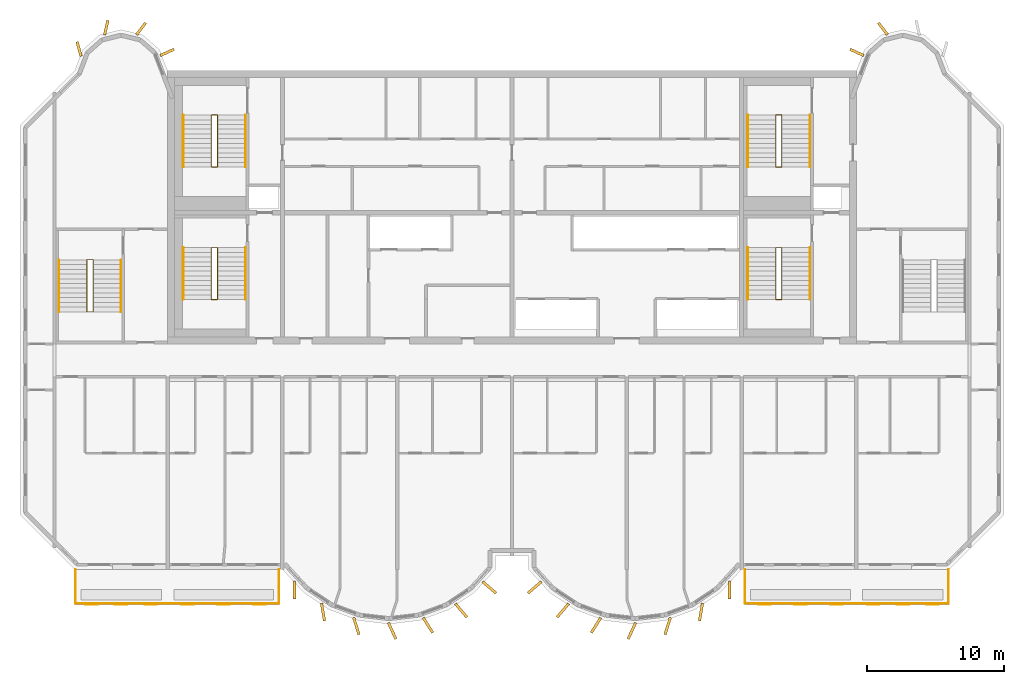
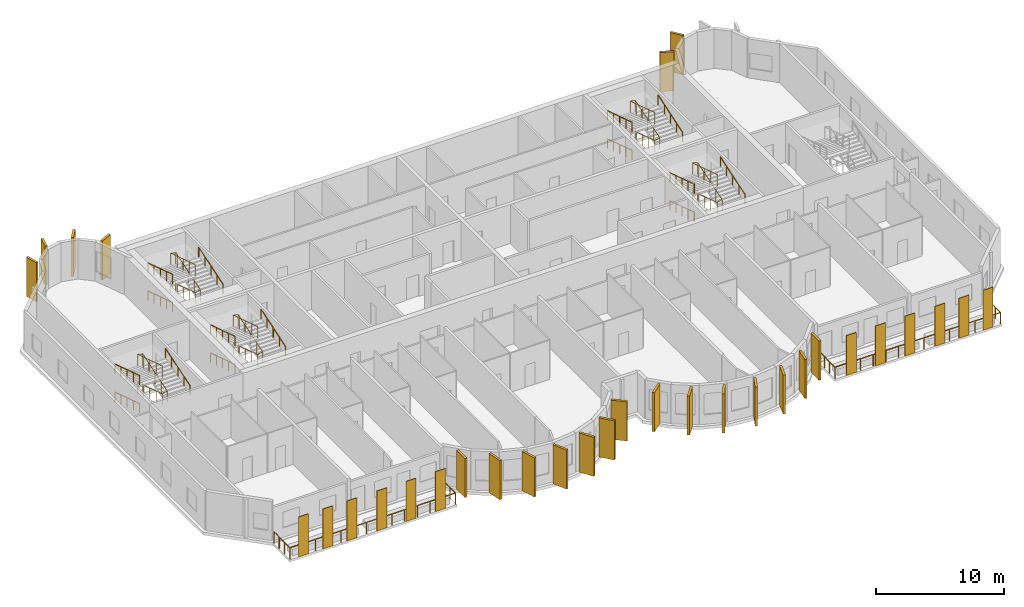
# One storey, part 10 of 12: 32 coverings, 22 railings.
"""IFC4 building model written with IfcOpenShell, lengths in metres."""

from ifc_helpers import new_model, si_unit, direction, frame, origin, origin_2d, place, context, subcontext, project, spatial, rectangle, circle, extrude, source, transform, mapped, material, layer, layer_set, material_profile, profile_set, type_object, element, save


model = new_model("IFC4")

# Units and contexts
model_context = context("Model", 3, precision=1e-05, world=origin(), true_north=direction((0.0, 1.0)))
body_context = subcontext(model_context, "Body", "Model", "MODEL_VIEW")
ifc_project = project(units=[si_unit("LENGTHUNIT", "METRE"), si_unit("AREAUNIT", "SQUARE_METRE"), si_unit("VOLUMEUNIT", "CUBIC_METRE"), si_unit("PLANEANGLEUNIT", "RADIAN"), si_unit("MASSUNIT", "GRAM", prefix="KILO")], contexts=[model_context])

# Site, building, storey
site_placement = place(None, origin())
site = spatial("IfcSite", under=ifc_project, at=site_placement, CompositionType="ELEMENT")
building_placement = place(site_placement, origin())
building = spatial("IfcBuilding", under=site, at=building_placement, Name="Vanashikhar Sky Hotel", CompositionType="ELEMENT")
storey_placement = place(building_placement, frame((0.0, 0.0, 293.699951171875)))
storey = spatial("IfcBuildingStorey", under=building, at=storey_placement, Name="L70", CompositionType="ELEMENT", Elevation=293.699951171875)

# Railings
ifc_material_1 = material(Name="Stainless steel 316", Category="steel")
railing_type_1 = type_object("IfcRailingType", Name="Balcony guard 1100", PredefinedType="GUARDRAIL", material=ifc_material_1)
shared_shape_1 = source(origin(), body_context, "Body", "SweptSolid", [
    extrude(circle(Radius=0.02392578125, at=origin_2d()), frame((0.0, 0.0, 1.076171875), z_axis=(0.0, -1.0, 0.0), x_axis=(1.0, 0.0, 0.0)), (0.0, 0.0, 1.0), 2.5),
    extrude(circle(Radius=0.02392578125, at=origin_2d()), frame((0.0, -2.5, 1.076171875), z_axis=(1.0, 0.0, 0.0), x_axis=(0.0, 1.0, 0.0)), (0.0, 0.0, 1.0), 14.880126953125),
    extrude(circle(Radius=0.02392578125, at=origin_2d()), frame((14.880126953125, -2.5, 1.076171875), z_axis=(0.0, 1.0, 0.0), x_axis=(-1.0, 0.0, 0.0)), (0.0, 0.0, 1.0), 2.5),
    extrude(circle(Radius=0.02099609375, at=origin_2d()), origin(), (0.0, 0.0, 1.0), 1.052001953125),
    extrude(circle(Radius=0.02099609375, at=origin_2d()), frame((0.0, -0.833251953125, 0.0)), (0.0, 0.0, 1.0), 1.052001953125),
    extrude(circle(Radius=0.02099609375, at=origin_2d()), frame((0.0, -1.666748046875, 0.0)), (0.0, 0.0, 1.0), 1.052001953125),
    extrude(circle(Radius=0.02099609375, at=origin_2d()), frame((0.0, -2.5, 0.0)), (0.0, 0.0, 1.0), 1.052001953125),
    extrude(circle(Radius=0.02099609375, at=origin_2d()), frame((1.14453125, -2.5, 0.0)), (0.0, 0.0, 1.0), 1.052001953125),
    extrude(circle(Radius=0.02099609375, at=origin_2d()), frame((2.289306640625, -2.5, 0.0)), (0.0, 0.0, 1.0), 1.052001953125),
    extrude(circle(Radius=0.02099609375, at=origin_2d()), frame((3.433837890625, -2.5, 0.0)), (0.0, 0.0, 1.0), 1.052001953125),
    extrude(circle(Radius=0.02099609375, at=origin_2d()), frame((4.57861328125, -2.5, 0.0)), (0.0, 0.0, 1.0), 1.052001953125),
    extrude(circle(Radius=0.02099609375, at=origin_2d()), frame((5.72314453125, -2.5, 0.0)), (0.0, 0.0, 1.0), 1.052001953125),
    extrude(circle(Radius=0.02099609375, at=origin_2d()), frame((6.86767578125, -2.5, 0.0)), (0.0, 0.0, 1.0), 1.052001953125),
    extrude(circle(Radius=0.02099609375, at=origin_2d()), frame((8.012451171875, -2.5, 0.0)), (0.0, 0.0, 1.0), 1.052001953125),
    extrude(circle(Radius=0.02099609375, at=origin_2d()), frame((9.156982421875, -2.5, 0.0)), (0.0, 0.0, 1.0), 1.052001953125),
    extrude(circle(Radius=0.02099609375, at=origin_2d()), frame((10.301513671875, -2.5, 0.0)), (0.0, 0.0, 1.0), 1.052001953125),
    extrude(circle(Radius=0.02099609375, at=origin_2d()), frame((11.4462890625, -2.5, 0.0)), (0.0, 0.0, 1.0), 1.052001953125),
    extrude(circle(Radius=0.02099609375, at=origin_2d()), frame((12.5908203125, -2.5, 0.0)), (0.0, 0.0, 1.0), 1.052001953125),
    extrude(circle(Radius=0.02099609375, at=origin_2d()), frame((13.735595703125, -2.5, 0.0)), (0.0, 0.0, 1.0), 1.052001953125),
    extrude(circle(Radius=0.02099609375, at=origin_2d()), frame((14.880126953125, -2.5, 0.0)), (0.0, 0.0, 1.0), 1.052001953125),
    extrude(circle(Radius=0.02099609375, at=origin_2d()), frame((14.880126953125, -1.666748046875, 0.0)), (0.0, 0.0, 1.0), 1.052001953125),
    extrude(circle(Radius=0.02099609375, at=origin_2d()), frame((14.880126953125, -0.833251953125, 0.0)), (0.0, 0.0, 1.0), 1.052001953125),
    extrude(circle(Radius=0.02099609375, at=origin_2d()), frame((14.880126953125, 0.0, 0.0)), (0.0, 0.0, 1.0), 1.052001953125),
])
for number, where, name in (
    (1, (18.4599609375, 5.5, -0.050048828125), "Balcony guard"),
    (2, (67.4599609375, 5.5, -0.050048828125), "Balcony guard"),
):
    element("IfcRailing", number, at=place(storey_placement, frame(where)), inside=storey, type_object=railing_type_1, Name=name, PredefinedType="GUARDRAIL", context=body_context, shape_type="MappedRepresentation", body=[
        mapped(shared_shape_1, transform((0.0, 0.0, 0.0), scale=1.0)),
    ])

# Coverings
ifc_material_2 = material(Name="Terracotta", Category="masonry")
ifc_layer = layer(ifc_material_2, 0.06005859375)
ifc_layer_set = layer_set([ifc_layer], Name="Terracotta baguette screen")
covering_type_1 = type_object("IfcCoveringType", Name="Terracotta baguette screen", PredefinedType="CLADDING", material=ifc_layer_set)
shared_shape_2 = source(origin(), body_context, "Body", "SweptSolid", [
    extrude(rectangle(XDim=0.89990234375, YDim=0.06005859375, at=origin_2d()), origin(), (0.0, 0.0, 1.0), 3.800048828125),
])
for number, where, z_axis, x_axis, name in (
    (3, (19.63330078125, 2.929931640625, -0.0498046875), (0.0, 0.0, 1.0), (1.0, 0.0, 0.0), "Terracotta screen"),
    (4, (21.800048828125, 2.929931640625, -0.0498046875), (0.0, 0.0, 1.0), (1.0, 0.0, 0.0), "Terracotta screen"),
    (5, (23.966796875, 2.929931640625, -0.0498046875), (0.0, 0.0, 1.0), (1.0, 0.0, 0.0), "Terracotta screen"),
    (6, (26.666748046875, 2.929931640625, -0.0498046875), (0.0, 0.0, 1.0), (1.0, 0.0, 0.0), "Terracotta screen"),
    (7, (29.300048828125, 2.929931640625, -0.0498046875), (0.0, 0.0, 1.0), (1.0, 0.0, 0.0), "Terracotta screen"),
    (8, (31.933349609375, 2.929931640625, -0.0498046875), (0.0, 0.0, 1.0), (1.0, 0.0, 0.0), "Terracotta screen"),
    (9, (68.86669921875, 2.929931640625, -0.0498046875), (0.0, 0.0, 1.0), (1.0, 0.0, 0.0), "Terracotta screen"),
    (10, (71.5, 2.929931640625, -0.0498046875), (0.0, 0.0, 1.0), (1.0, 0.0, 0.0), "Terracotta screen"),
    (11, (74.13330078125, 2.929931640625, -0.0498046875), (0.0, 0.0, 1.0), (1.0, 0.0, 0.0), "Terracotta screen"),
    (12, (76.833251953125, 2.929931640625, -0.0498046875), (0.0, 0.0, 1.0), (1.0, 0.0, 0.0), "Terracotta screen"),
    (13, (79.0, 2.929931640625, -0.0498046875), (0.0, 0.0, 1.0), (1.0, 0.0, 0.0), "Terracotta screen"),
    (14, (81.166748046875, 2.929931640625, -0.0498046875), (0.0, 0.0, 1.0), (1.0, 0.0, 0.0), "Terracotta screen"),
):
    element("IfcCovering", number, at=place(storey_placement, frame(where, z_axis=z_axis, x_axis=x_axis)), inside=storey, type_object=covering_type_1, Name=name, PredefinedType="CLADDING", context=body_context, shape_type="MappedRepresentation", body=[
        mapped(shared_shape_2, transform((0.0, 0.0, 0.0), scale=1.0)),
    ])
ifc_material_3 = material(Name="Concrete M60 dark", Category="concrete")
ifc_material_profile_1 = material_profile(ifc_material_3, rectangle(XDim=1.300048828125, YDim=0.199951171875, at=origin_2d()))
ifc_profile_set_1 = profile_set([ifc_material_profile_1], Name="Fin 1300 x 200")
covering_type_2 = type_object("IfcCoveringType", Name="Fin 1300 x 200", PredefinedType="CLADDING", material=ifc_profile_set_1)
shared_shape_3 = source(origin(), body_context, "Body", "SweptSolid", [
    extrude(rectangle(XDim=1.300048828125, YDim=0.199951171875, at=origin_2d()), origin(), (0.0, 0.0, 1.0), 3.719970703125),
])
for number, where, z_axis, x_axis, name in (
    (15, (34.482421875, 3.992919921875, 0.0), (0.0, 0.0, 1.0), (0.011588726826, -0.999932848451, 0.0), "Fin F1-1"),
    (16, (36.572509765625, 2.3779296875, 0.0), (0.0, 0.0, 1.0), (0.16989991575, -0.985461322746, 0.0), "Fin F1-2"),
    (17, (39.00830078125, 1.35693359375, 0.0), (0.0, 0.0, 1.0), (0.303966551867, -0.952682704444, 0.0), "Fin F1-3"),
    (18, (41.63232421875, 1.00146484375, 0.0), (0.0, 0.0, 1.0), (0.422618261741, -0.906307787037, 0.0), "Fin F1-4"),
    (19, (44.251953125, 1.416015625, 0.0), (0.0, 0.0, 1.0), (0.534411358496, -0.845224526331, 0.0), "Fin F1-5"),
    (20, (46.676025390625, 2.5, 0.0), (0.0, 0.0, 1.0), (0.645697609467, -0.763593214433, 0.0), "Fin F1-6"),
    (21, (48.7412109375, 4.1845703125, 0.0), (0.0, 0.0, 1.0), (0.758543912032, -0.65162192529, 0.0), "Fin F1-7"),
    (22, (52.058837890625, 4.1845703125, 0.0), (0.0, 0.0, 1.0), (-0.758543912032, -0.65162192529, 0.0), "Fin F2-1"),
    (23, (54.123779296875, 2.5, 0.0), (0.0, 0.0, 1.0), (-0.645697609467, -0.763593214433, 0.0), "Fin F2-2"),
    (24, (56.547119140625, 1.416015625, 0.0), (0.0, 0.0, 1.0), (-0.534411358496, -0.845224526331, 0.0), "Fin F2-3"),
    (25, (59.16748046875, 1.00146484375, 0.0), (0.0, 0.0, 1.0), (-0.422618261741, -0.906307787037, 0.0), "Fin F2-4"),
    (26, (61.790771484375, 1.35693359375, 0.0), (0.0, 0.0, 1.0), (-0.303966551867, -0.952682704444, 0.0), "Fin F2-5"),
    (27, (64.2275390625, 2.3779296875, 0.0), (0.0, 0.0, 1.0), (-0.16989991575, -0.985461322746, 0.0), "Fin F2-6"),
    (28, (66.317626953125, 3.992919921875, 0.0), (0.0, 0.0, 1.0), (-0.011588726826, -0.999932848451, 0.0), "Fin F2-7"),
):
    element("IfcCovering", number, at=place(storey_placement, frame(where, z_axis=z_axis, x_axis=x_axis)), inside=storey, type_object=covering_type_2, Name=name, PredefinedType="CLADDING", context=body_context, shape_type="MappedRepresentation", body=[
        mapped(shared_shape_3, transform((0.0, 0.0, 0.0), scale=1.0)),
    ])
ifc_material_profile_2 = material_profile(ifc_material_3, rectangle(XDim=1.10009765625, YDim=0.199951171875, at=origin_2d()))
ifc_profile_set_2 = profile_set([ifc_material_profile_2], Name="Rear lobe fin 1100 x 200")
covering_type_3 = type_object("IfcCoveringType", Name="Rear lobe fin 1100 x 200", PredefinedType="CLADDING", material=ifc_profile_set_2)
shared_shape_4 = source(origin(), body_context, "Body", "SweptSolid", [
    extrude(rectangle(XDim=1.10009765625, YDim=0.199951171875, at=origin_2d()), origin(), (0.0, 0.0, 1.0), 3.719970703125),
])
for number, where, z_axis, x_axis, name in (
    (29, (18.720703125, 43.580078125, 0.0), (0.0, 0.0, 1.0), (-0.262711264409, 0.964874495234, 0.0), "Fin R1-1"),
    (30, (20.710205078125, 45.1455078125, 0.0), (0.0, 0.0, 1.0), (0.224644935864, 0.974440687159, 0.0), "Fin R1-2"),
    (31, (23.261962890625, 45.06640625, 0.0), (0.0, 0.0, 1.0), (0.602065892195, 0.798446404874, 0.0), "Fin R1-3"),
    (32, (25.169677734375, 43.33447265625, 0.0), (0.0, 0.0, 1.0), (0.908004291068, 0.418960866193, 0.0), "Fin R1-4"),
    (33, (75.63037109375, 43.33447265625, 0.0), (0.0, 0.0, 1.0), (-0.908004291068, 0.418960866193, 0.0), "Fin R2-1"),
    (34, (77.5380859375, 45.06640625, 0.0), (0.0, 0.0, 1.0), (-0.602065892195, 0.798446404874, 0.0), "Fin R2-2"),
):
    element("IfcCovering", number, at=place(storey_placement, frame(where, z_axis=z_axis, x_axis=x_axis)), inside=storey, type_object=covering_type_3, Name=name, PredefinedType="CLADDING", context=body_context, shape_type="MappedRepresentation", body=[
        mapped(shared_shape_4, transform((0.0, 0.0, 0.0), scale=1.0)),
    ])

# Railings
ifc_material_4 = material(Name="Steel S355", Category="steel")
railing_type_2 = type_object("IfcRailingType", Name="Stair guard 1100", PredefinedType="GUARDRAIL", material=ifc_material_4)
shared_shape_5 = source(origin(), body_context, "Body", "SweptSolid", [
    extrude(circle(Radius=0.02392578125, at=origin_2d()), frame((0.0, 0.0, 1.076171875), z_axis=(-0.970881249867, 0.0, 0.239561262847), x_axis=(0.0, -1.0, 0.0)), (0.0, 0.0, 1.0), 0.463623046875),
    extrude(circle(Radius=0.02392578125, at=origin_2d()), frame((-0.4501953125, 0.0, 1.18701171875), z_axis=(0.0, -0.95195790124, 0.306228924607), x_axis=(1.0, 0.0, 0.0)), (0.0, 0.0, 1.0), 3.991943359375),
    extrude(circle(Radius=0.02392578125, at=origin_2d()), frame((-0.4501953125, -3.800048828125, 2.40966796875), z_axis=(0.970881249867, 0.0, 0.239561262847), x_axis=(0.0, 1.0, 0.0)), (0.0, 0.0, 1.0), 0.463623046875),
    extrude(circle(Radius=0.02392578125, at=origin_2d()), frame((0.0, -3.800048828125, 2.5205078125), z_axis=(0.0, 0.95197572919, 0.306173498254), x_axis=(-1.0, 0.0, 0.0)), (0.0, 0.0, 1.0), 3.99169921875),
    extrude(circle(Radius=0.02392578125, at=origin_2d()), frame((0.0, 0.0, 3.74267578125), z_axis=(-0.970881249867, 0.0, 0.239561262847), x_axis=(0.0, -1.0, 0.0)), (0.0, 0.0, 1.0), 0.463623046875),
    extrude(circle(Radius=0.02392578125, at=origin_2d()), frame((-0.4501953125, 0.0, 3.85400390625), z_axis=(0.0, -0.95197572919, 0.306173498254), x_axis=(1.0, 0.0, 0.0)), (0.0, 0.0, 1.0), 3.99169921875),
    extrude(circle(Radius=0.02099609375, at=origin_2d()), origin(), (0.0, 0.0, 1.0), 1.052001953125),
    extrude(circle(Radius=0.02099609375, at=origin_2d()), frame((-0.4501953125, 0.0, 0.111083984375)), (0.0, 0.0, 1.0), 1.052001953125),
    extrude(circle(Radius=0.02099609375, at=origin_2d()), frame((-0.4501953125, -0.949951171875, 0.416748046875)), (0.0, 0.0, 1.0), 1.052001953125),
    extrude(circle(Radius=0.02099609375, at=origin_2d()), frame((-0.4501953125, -1.89990234375, 0.72216796875)), (0.0, 0.0, 1.0), 1.052001953125),
    extrude(circle(Radius=0.02099609375, at=origin_2d()), frame((-0.4501953125, -2.85009765625, 1.02783203125)), (0.0, 0.0, 1.0), 1.052001953125),
    extrude(circle(Radius=0.02099609375, at=origin_2d()), frame((-0.4501953125, -3.800048828125, 1.33349609375)), (0.0, 0.0, 1.0), 1.052001953125),
    extrude(circle(Radius=0.02099609375, at=origin_2d()), frame((0.0, -3.800048828125, 1.444580078125)), (0.0, 0.0, 1.0), 1.052001953125),
    extrude(circle(Radius=0.02099609375, at=origin_2d()), frame((0.0, -2.85009765625, 1.75)), (0.0, 0.0, 1.0), 1.052001953125),
    extrude(circle(Radius=0.02099609375, at=origin_2d()), frame((0.0, -1.89990234375, 2.0556640625)), (0.0, 0.0, 1.0), 1.052001953125),
    extrude(circle(Radius=0.02099609375, at=origin_2d()), frame((0.0, -0.949951171875, 2.361328125)), (0.0, 0.0, 1.0), 1.052001953125),
    extrude(circle(Radius=0.02099609375, at=origin_2d()), frame((0.0, 0.0, 2.666748046875)), (0.0, 0.0, 1.0), 1.052001953125),
    extrude(circle(Radius=0.02099609375, at=origin_2d()), frame((-0.4501953125, 0.0, 2.77783203125)), (0.0, 0.0, 1.0), 1.052001953125),
    extrude(circle(Radius=0.02099609375, at=origin_2d()), frame((-0.4501953125, -0.949951171875, 3.08349609375)), (0.0, 0.0, 1.0), 1.052001953125),
    extrude(circle(Radius=0.02099609375, at=origin_2d()), frame((-0.4501953125, -1.89990234375, 3.388916015625)), (0.0, 0.0, 1.0), 1.052001953125),
    extrude(circle(Radius=0.02099609375, at=origin_2d()), frame((-0.4501953125, -2.85009765625, 3.6943359375)), (0.0, 0.0, 1.0), 1.052001953125),
    extrude(circle(Radius=0.02099609375, at=origin_2d()), frame((-0.4501953125, -3.800048828125, 4.0)), (0.0, 0.0, 1.0), 1.052001953125),
])
for number, where, name in (
    (35, (28.85009765625, 29.050048828125, 0.0), "Exit stair 1 guard"),
    (36, (28.85009765625, 38.75, 0.0), "Exit stair 5 guard"),
):
    element("IfcRailing", number, at=place(storey_placement, frame(where)), inside=storey, type_object=railing_type_2, Name=name, PredefinedType="GUARDRAIL", context=body_context, shape_type="MappedRepresentation", body=[
        mapped(shared_shape_5, transform((0.0, 0.0, 0.0), scale=1.0)),
    ])
railing_type_3 = type_object("IfcRailingType", Name="Stair handrail 900", PredefinedType="HANDRAIL", material=ifc_material_4)
shared_shape_6 = source(origin(), body_context, "Body", "SweptSolid", [
    extrude(circle(Radius=0.02392578125, at=origin_2d()), frame((0.0, 0.0, 0.8759765625), z_axis=(0.0, -0.95195790124, 0.306228924607), x_axis=(1.0, 0.0, 0.0)), (0.0, 0.0, 1.0), 3.991943359375),
    extrude(circle(Radius=0.02099609375, at=origin_2d()), origin(), (0.0, 0.0, 1.0), 0.851806640625),
    extrude(circle(Radius=0.02099609375, at=origin_2d()), frame((0.0, -0.949951171875, 0.3056640625)), (0.0, 0.0, 1.0), 0.851806640625),
    extrude(circle(Radius=0.02099609375, at=origin_2d()), frame((0.0, -1.89990234375, 0.611328125)), (0.0, 0.0, 1.0), 0.851806640625),
    extrude(circle(Radius=0.02099609375, at=origin_2d()), frame((0.0, -2.85009765625, 0.916748046875)), (0.0, 0.0, 1.0), 0.851806640625),
    extrude(circle(Radius=0.02099609375, at=origin_2d()), frame((0.0, -3.800048828125, 1.222412109375)), (0.0, 0.0, 1.0), 0.851806640625),
])
for number, where, name in (
    (37, (26.35009765625, 29.050048828125, 0.111083984375), "Exit stair 1 handrail"),
    (38, (67.64990234375, 29.050048828125, 0.111083984375), "Exit stair 2 handrail"),
    (39, (26.35009765625, 38.75, 0.111083984375), "Exit stair 5 handrail"),
    (40, (67.64990234375, 38.75, 0.111083984375), "Exit stair 6 handrail"),
):
    element("IfcRailing", number, at=place(storey_placement, frame(where)), inside=storey, type_object=railing_type_3, Name=name, PredefinedType="HANDRAIL", context=body_context, shape_type="MappedRepresentation", body=[
        mapped(shared_shape_6, transform((0.0, 0.0, 0.0), scale=1.0)),
    ])
shared_shape_7 = source(origin(), body_context, "Body", "SweptSolid", [
    extrude(circle(Radius=0.02392578125, at=origin_2d()), frame((0.0, 0.0, 0.8759765625), z_axis=(0.0, 0.95197572919, 0.306173498254), x_axis=(-1.0, 0.0, 0.0)), (0.0, 0.0, 1.0), 3.99169921875),
    extrude(circle(Radius=0.02099609375, at=origin_2d()), origin(), (0.0, 0.0, 1.0), 0.851806640625),
    extrude(circle(Radius=0.02099609375, at=origin_2d()), frame((0.0, 0.949951171875, 0.3056640625)), (0.0, 0.0, 1.0), 0.851806640625),
    extrude(circle(Radius=0.02099609375, at=origin_2d()), frame((0.0, 1.89990234375, 0.611083984375)), (0.0, 0.0, 1.0), 0.851806640625),
    extrude(circle(Radius=0.02099609375, at=origin_2d()), frame((0.0, 2.85009765625, 0.91650390625)), (0.0, 0.0, 1.0), 0.851806640625),
    extrude(circle(Radius=0.02099609375, at=origin_2d()), frame((0.0, 3.800048828125, 1.22216796875)), (0.0, 0.0, 1.0), 0.851806640625),
])
for number, where, name in (
    (41, (30.89990234375, 25.25, 1.444580078125), "Exit stair 1 handrail"),
    (42, (72.199951171875, 25.25, 1.444580078125), "Exit stair 2 handrail"),
    (43, (30.89990234375, 34.949951171875, 1.444580078125), "Exit stair 5 handrail"),
    (44, (72.199951171875, 34.949951171875, 1.444580078125), "Exit stair 6 handrail"),
):
    element("IfcRailing", number, at=place(storey_placement, frame(where)), inside=storey, type_object=railing_type_3, Name=name, PredefinedType="HANDRAIL", context=body_context, shape_type="MappedRepresentation", body=[
        mapped(shared_shape_7, transform((0.0, 0.0, 0.0), scale=1.0)),
    ])
shared_shape_8 = source(origin(), body_context, "Body", "SweptSolid", [
    extrude(circle(Radius=0.02392578125, at=origin_2d()), frame((0.0, 0.0, 0.8759765625), z_axis=(0.0, -0.95197572919, 0.306173498254), x_axis=(1.0, 0.0, 0.0)), (0.0, 0.0, 1.0), 3.99169921875),
    extrude(circle(Radius=0.02099609375, at=origin_2d()), origin(), (0.0, 0.0, 1.0), 0.851806640625),
    extrude(circle(Radius=0.02099609375, at=origin_2d()), frame((0.0, -0.949951171875, 0.3056640625)), (0.0, 0.0, 1.0), 0.851806640625),
    extrude(circle(Radius=0.02099609375, at=origin_2d()), frame((0.0, -1.89990234375, 0.611083984375)), (0.0, 0.0, 1.0), 0.851806640625),
    extrude(circle(Radius=0.02099609375, at=origin_2d()), frame((0.0, -2.85009765625, 0.91650390625)), (0.0, 0.0, 1.0), 0.851806640625),
    extrude(circle(Radius=0.02099609375, at=origin_2d()), frame((0.0, -3.800048828125, 1.22216796875)), (0.0, 0.0, 1.0), 0.851806640625),
])
for number, where, name in (
    (45, (26.35009765625, 29.050048828125, 2.77783203125), "Exit stair 1 handrail"),
    (46, (67.64990234375, 29.050048828125, 2.77783203125), "Exit stair 2 handrail"),
    (47, (26.35009765625, 38.75, 2.77783203125), "Exit stair 5 handrail"),
    (48, (67.64990234375, 38.75, 2.77783203125), "Exit stair 6 handrail"),
):
    element("IfcRailing", number, at=place(storey_placement, frame(where)), inside=storey, type_object=railing_type_3, Name=name, PredefinedType="HANDRAIL", context=body_context, shape_type="MappedRepresentation", body=[
        mapped(shared_shape_8, transform((0.0, 0.0, 0.0), scale=1.0)),
    ])
shared_shape_9 = source(origin(), body_context, "Body", "SweptSolid", [
    extrude(circle(Radius=0.02392578125, at=origin_2d()), frame((0.0, 0.0, 1.076171875), z_axis=(-0.970851010584, 0.0, 0.239683781777), x_axis=(0.0, -1.0, 0.0)), (0.0, 0.0, 1.0), 0.46337890625),
    extrude(circle(Radius=0.02392578125, at=origin_2d()), frame((-0.449951171875, 0.0, 1.18701171875), z_axis=(0.0, -0.95195790124, 0.306228924607), x_axis=(1.0, 0.0, 0.0)), (0.0, 0.0, 1.0), 3.991943359375),
    extrude(circle(Radius=0.02392578125, at=origin_2d()), frame((-0.449951171875, -3.800048828125, 2.40966796875), z_axis=(0.970851010584, 0.0, 0.239683781777), x_axis=(0.0, 1.0, 0.0)), (0.0, 0.0, 1.0), 0.46337890625),
    extrude(circle(Radius=0.02392578125, at=origin_2d()), frame((0.0, -3.800048828125, 2.5205078125), z_axis=(0.0, 0.95197572919, 0.306173498254), x_axis=(-1.0, 0.0, 0.0)), (0.0, 0.0, 1.0), 3.99169921875),
    extrude(circle(Radius=0.02392578125, at=origin_2d()), frame((0.0, 0.0, 3.74267578125), z_axis=(-0.970851010584, 0.0, 0.239683781777), x_axis=(0.0, -1.0, 0.0)), (0.0, 0.0, 1.0), 0.46337890625),
    extrude(circle(Radius=0.02392578125, at=origin_2d()), frame((-0.449951171875, 0.0, 3.85400390625), z_axis=(0.0, -0.95197572919, 0.306173498254), x_axis=(1.0, 0.0, 0.0)), (0.0, 0.0, 1.0), 3.99169921875),
    extrude(circle(Radius=0.02099609375, at=origin_2d()), origin(), (0.0, 0.0, 1.0), 1.052001953125),
    extrude(circle(Radius=0.02099609375, at=origin_2d()), frame((-0.449951171875, 0.0, 0.111083984375)), (0.0, 0.0, 1.0), 1.052001953125),
    extrude(circle(Radius=0.02099609375, at=origin_2d()), frame((-0.449951171875, -0.949951171875, 0.416748046875)), (0.0, 0.0, 1.0), 1.052001953125),
    extrude(circle(Radius=0.02099609375, at=origin_2d()), frame((-0.449951171875, -1.89990234375, 0.72216796875)), (0.0, 0.0, 1.0), 1.052001953125),
    extrude(circle(Radius=0.02099609375, at=origin_2d()), frame((-0.449951171875, -2.85009765625, 1.02783203125)), (0.0, 0.0, 1.0), 1.052001953125),
    extrude(circle(Radius=0.02099609375, at=origin_2d()), frame((-0.449951171875, -3.800048828125, 1.33349609375)), (0.0, 0.0, 1.0), 1.052001953125),
    extrude(circle(Radius=0.02099609375, at=origin_2d()), frame((0.0, -3.800048828125, 1.444580078125)), (0.0, 0.0, 1.0), 1.052001953125),
    extrude(circle(Radius=0.02099609375, at=origin_2d()), frame((0.0, -2.85009765625, 1.75)), (0.0, 0.0, 1.0), 1.052001953125),
    extrude(circle(Radius=0.02099609375, at=origin_2d()), frame((0.0, -1.89990234375, 2.0556640625)), (0.0, 0.0, 1.0), 1.052001953125),
    extrude(circle(Radius=0.02099609375, at=origin_2d()), frame((0.0, -0.949951171875, 2.361328125)), (0.0, 0.0, 1.0), 1.052001953125),
    extrude(circle(Radius=0.02099609375, at=origin_2d()), frame((0.0, 0.0, 2.666748046875)), (0.0, 0.0, 1.0), 1.052001953125),
    extrude(circle(Radius=0.02099609375, at=origin_2d()), frame((-0.449951171875, 0.0, 2.77783203125)), (0.0, 0.0, 1.0), 1.052001953125),
    extrude(circle(Radius=0.02099609375, at=origin_2d()), frame((-0.449951171875, -0.949951171875, 3.08349609375)), (0.0, 0.0, 1.0), 1.052001953125),
    extrude(circle(Radius=0.02099609375, at=origin_2d()), frame((-0.449951171875, -1.89990234375, 3.388916015625)), (0.0, 0.0, 1.0), 1.052001953125),
    extrude(circle(Radius=0.02099609375, at=origin_2d()), frame((-0.449951171875, -2.85009765625, 3.6943359375)), (0.0, 0.0, 1.0), 1.052001953125),
    extrude(circle(Radius=0.02099609375, at=origin_2d()), frame((-0.449951171875, -3.800048828125, 4.0)), (0.0, 0.0, 1.0), 1.052001953125),
])
for number, where, name in (
    (49, (70.14990234375, 29.050048828125, 0.0), "Exit stair 2 guard"),
    (50, (70.14990234375, 38.75, 0.0), "Exit stair 6 guard"),
):
    element("IfcRailing", number, at=place(storey_placement, frame(where)), inside=storey, type_object=railing_type_2, Name=name, PredefinedType="GUARDRAIL", context=body_context, shape_type="MappedRepresentation", body=[
        mapped(shared_shape_9, transform((0.0, 0.0, 0.0), scale=1.0)),
    ])
shared_shape_10 = source(origin(), body_context, "Body", "SweptSolid", [
    extrude(circle(Radius=0.02392578125, at=origin_2d()), frame((0.0, 0.0, 1.076171875), z_axis=(-0.970851010584, 0.0, 0.239683781777), x_axis=(0.0, -1.0, 0.0)), (0.0, 0.0, 1.0), 0.46337890625),
    extrude(circle(Radius=0.02392578125, at=origin_2d()), frame((-0.449951171875, 0.0, 1.18701171875), z_axis=(0.0, -0.951952165375, 0.306246754821), x_axis=(1.0, 0.0, 0.0)), (0.0, 0.0, 1.0), 3.99169921875),
    extrude(circle(Radius=0.02392578125, at=origin_2d()), frame((-0.449951171875, -3.7998046875, 2.40966796875), z_axis=(0.970851010584, 0.0, 0.239683781777), x_axis=(0.0, 1.0, 0.0)), (0.0, 0.0, 1.0), 0.46337890625),
    extrude(circle(Radius=0.02392578125, at=origin_2d()), frame((0.0, -3.7998046875, 2.5205078125), z_axis=(0.0, 0.951969995293, 0.306191325908), x_axis=(-1.0, 0.0, 0.0)), (0.0, 0.0, 1.0), 3.991455078125),
    extrude(circle(Radius=0.02392578125, at=origin_2d()), frame((0.0, 0.0, 3.74267578125), z_axis=(-0.970851010584, 0.0, 0.239683781777), x_axis=(0.0, -1.0, 0.0)), (0.0, 0.0, 1.0), 0.46337890625),
    extrude(circle(Radius=0.02392578125, at=origin_2d()), frame((-0.449951171875, 0.0, 3.85400390625), z_axis=(0.0, -0.951969995293, 0.306191325908), x_axis=(1.0, 0.0, 0.0)), (0.0, 0.0, 1.0), 3.991455078125),
    extrude(circle(Radius=0.02099609375, at=origin_2d()), origin(), (0.0, 0.0, 1.0), 1.052001953125),
    extrude(circle(Radius=0.02099609375, at=origin_2d()), frame((-0.449951171875, 0.0, 0.111083984375)), (0.0, 0.0, 1.0), 1.052001953125),
    extrude(circle(Radius=0.02099609375, at=origin_2d()), frame((-0.449951171875, -0.949951171875, 0.416748046875)), (0.0, 0.0, 1.0), 1.052001953125),
    extrude(circle(Radius=0.02099609375, at=origin_2d()), frame((-0.449951171875, -1.89990234375, 0.72216796875)), (0.0, 0.0, 1.0), 1.052001953125),
    extrude(circle(Radius=0.02099609375, at=origin_2d()), frame((-0.449951171875, -2.849853515625, 1.02783203125)), (0.0, 0.0, 1.0), 1.052001953125),
    extrude(circle(Radius=0.02099609375, at=origin_2d()), frame((-0.449951171875, -3.7998046875, 1.33349609375)), (0.0, 0.0, 1.0), 1.052001953125),
    extrude(circle(Radius=0.02099609375, at=origin_2d()), frame((0.0, -3.7998046875, 1.444580078125)), (0.0, 0.0, 1.0), 1.052001953125),
    extrude(circle(Radius=0.02099609375, at=origin_2d()), frame((0.0, -2.849853515625, 1.75)), (0.0, 0.0, 1.0), 1.052001953125),
    extrude(circle(Radius=0.02099609375, at=origin_2d()), frame((0.0, -1.89990234375, 2.0556640625)), (0.0, 0.0, 1.0), 1.052001953125),
    extrude(circle(Radius=0.02099609375, at=origin_2d()), frame((0.0, -0.949951171875, 2.361328125)), (0.0, 0.0, 1.0), 1.052001953125),
    extrude(circle(Radius=0.02099609375, at=origin_2d()), frame((0.0, 0.0, 2.666748046875)), (0.0, 0.0, 1.0), 1.052001953125),
    extrude(circle(Radius=0.02099609375, at=origin_2d()), frame((-0.449951171875, 0.0, 2.77783203125)), (0.0, 0.0, 1.0), 1.052001953125),
    extrude(circle(Radius=0.02099609375, at=origin_2d()), frame((-0.449951171875, -0.949951171875, 3.08349609375)), (0.0, 0.0, 1.0), 1.052001953125),
    extrude(circle(Radius=0.02099609375, at=origin_2d()), frame((-0.449951171875, -1.89990234375, 3.388916015625)), (0.0, 0.0, 1.0), 1.052001953125),
    extrude(circle(Radius=0.02099609375, at=origin_2d()), frame((-0.449951171875, -2.849853515625, 3.6943359375)), (0.0, 0.0, 1.0), 1.052001953125),
    extrude(circle(Radius=0.02099609375, at=origin_2d()), frame((-0.449951171875, -3.7998046875, 4.0)), (0.0, 0.0, 1.0), 1.052001953125),
])
railing_1_placement = place(storey_placement, frame((19.75, 28.14990234375, 0.0)))
element("IfcRailing", 51, at=railing_1_placement, inside=storey, type_object=railing_type_2, Name="Exit stair 3 guard", PredefinedType="GUARDRAIL", context=body_context, shape_type="MappedRepresentation", body=[
    mapped(shared_shape_10, transform((0.0, 0.0, 0.0), scale=1.0)),
])
shared_shape_11 = source(origin(), body_context, "Body", "SweptSolid", [
    extrude(circle(Radius=0.02392578125, at=origin_2d()), frame((0.0, 0.0, 0.8759765625), z_axis=(0.0, -0.951952165375, 0.306246754821), x_axis=(1.0, 0.0, 0.0)), (0.0, 0.0, 1.0), 3.99169921875),
    extrude(circle(Radius=0.02099609375, at=origin_2d()), origin(), (0.0, 0.0, 1.0), 0.851806640625),
    extrude(circle(Radius=0.02099609375, at=origin_2d()), frame((0.0, -0.949951171875, 0.3056640625)), (0.0, 0.0, 1.0), 0.851806640625),
    extrude(circle(Radius=0.02099609375, at=origin_2d()), frame((0.0, -1.89990234375, 0.611328125)), (0.0, 0.0, 1.0), 0.851806640625),
    extrude(circle(Radius=0.02099609375, at=origin_2d()), frame((0.0, -2.849853515625, 0.916748046875)), (0.0, 0.0, 1.0), 0.851806640625),
    extrude(circle(Radius=0.02099609375, at=origin_2d()), frame((0.0, -3.7998046875, 1.222412109375)), (0.0, 0.0, 1.0), 0.851806640625),
])
railing_2_placement = place(storey_placement, frame((17.25, 28.14990234375, 0.111083984375)))
element("IfcRailing", 52, at=railing_2_placement, inside=storey, type_object=railing_type_3, Name="Exit stair 3 handrail", PredefinedType="HANDRAIL", context=body_context, shape_type="MappedRepresentation", body=[
    mapped(shared_shape_11, transform((0.0, 0.0, 0.0), scale=1.0)),
])
shared_shape_12 = source(origin(), body_context, "Body", "SweptSolid", [
    extrude(circle(Radius=0.02392578125, at=origin_2d()), frame((0.0, 0.0, 0.8759765625), z_axis=(0.0, 0.951969995293, 0.306191325908), x_axis=(-1.0, 0.0, 0.0)), (0.0, 0.0, 1.0), 3.991455078125),
    extrude(circle(Radius=0.02099609375, at=origin_2d()), origin(), (0.0, 0.0, 1.0), 0.851806640625),
    extrude(circle(Radius=0.02099609375, at=origin_2d()), frame((0.0, 0.949951171875, 0.3056640625)), (0.0, 0.0, 1.0), 0.851806640625),
    extrude(circle(Radius=0.02099609375, at=origin_2d()), frame((0.0, 1.89990234375, 0.611083984375)), (0.0, 0.0, 1.0), 0.851806640625),
    extrude(circle(Radius=0.02099609375, at=origin_2d()), frame((0.0, 2.849853515625, 0.91650390625)), (0.0, 0.0, 1.0), 0.851806640625),
    extrude(circle(Radius=0.02099609375, at=origin_2d()), frame((0.0, 3.7998046875, 1.22216796875)), (0.0, 0.0, 1.0), 0.851806640625),
])
railing_3_placement = place(storey_placement, frame((21.800048828125, 24.35009765625, 1.444580078125)))
element("IfcRailing", 53, at=railing_3_placement, inside=storey, type_object=railing_type_3, Name="Exit stair 3 handrail", PredefinedType="HANDRAIL", context=body_context, shape_type="MappedRepresentation", body=[
    mapped(shared_shape_12, transform((0.0, 0.0, 0.0), scale=1.0)),
])
shared_shape_13 = source(origin(), body_context, "Body", "SweptSolid", [
    extrude(circle(Radius=0.02392578125, at=origin_2d()), frame((0.0, 0.0, 0.8759765625), z_axis=(0.0, -0.951969995293, 0.306191325908), x_axis=(1.0, 0.0, 0.0)), (0.0, 0.0, 1.0), 3.991455078125),
    extrude(circle(Radius=0.02099609375, at=origin_2d()), origin(), (0.0, 0.0, 1.0), 0.851806640625),
    extrude(circle(Radius=0.02099609375, at=origin_2d()), frame((0.0, -0.949951171875, 0.3056640625)), (0.0, 0.0, 1.0), 0.851806640625),
    extrude(circle(Radius=0.02099609375, at=origin_2d()), frame((0.0, -1.89990234375, 0.611083984375)), (0.0, 0.0, 1.0), 0.851806640625),
    extrude(circle(Radius=0.02099609375, at=origin_2d()), frame((0.0, -2.849853515625, 0.91650390625)), (0.0, 0.0, 1.0), 0.851806640625),
    extrude(circle(Radius=0.02099609375, at=origin_2d()), frame((0.0, -3.7998046875, 1.22216796875)), (0.0, 0.0, 1.0), 0.851806640625),
])
railing_4_placement = place(storey_placement, frame((17.25, 28.14990234375, 2.77783203125)))
element("IfcRailing", 54, at=railing_4_placement, inside=storey, type_object=railing_type_3, Name="Exit stair 3 handrail", PredefinedType="HANDRAIL", context=body_context, shape_type="MappedRepresentation", body=[
    mapped(shared_shape_13, transform((0.0, 0.0, 0.0), scale=1.0)),
])

save(model, "model.ifc")
